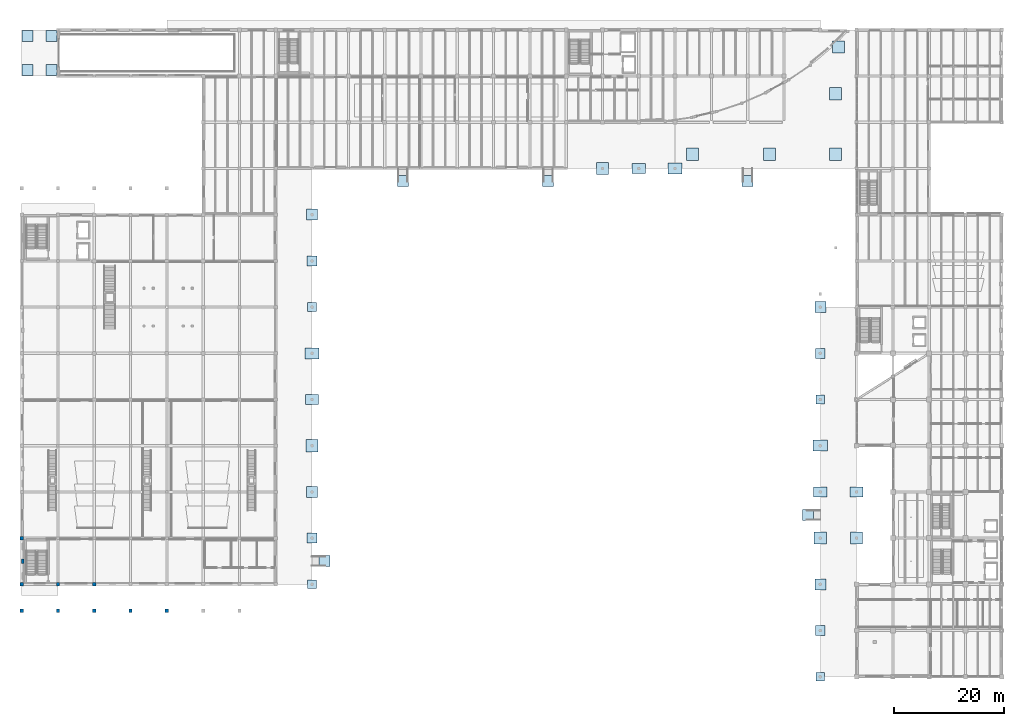
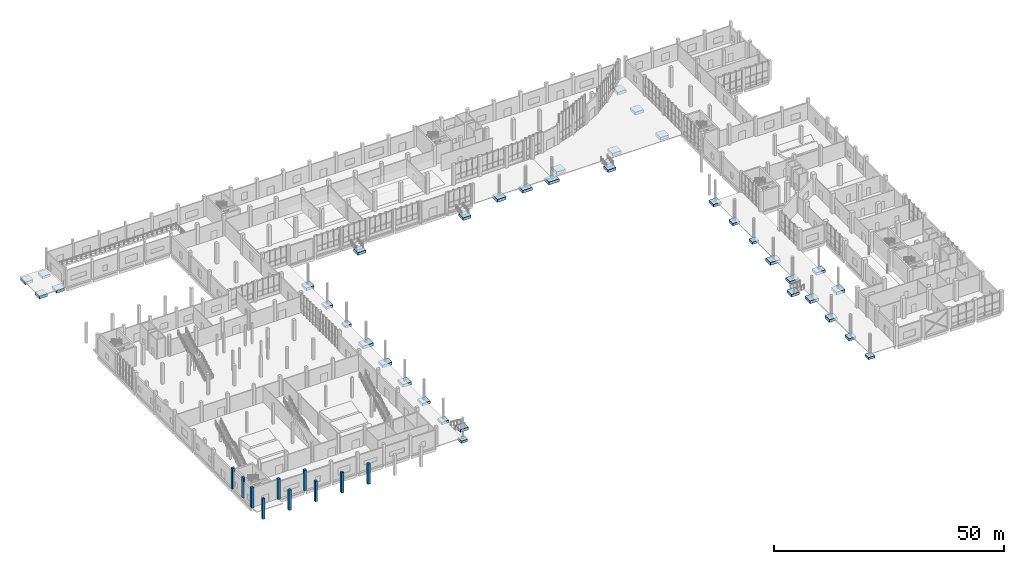
# One storey, part 1 of 64: 37 footings, 10 columns.
"""IFC4 building model written with IfcOpenShell, lengths in metres."""

import ifcopenshell
import ifcopenshell.guid

model = None  # the IFC model being written
_history = None  # IfcOwnerHistory: only IFC2X3 demands one
_inside = {}  # id of a spatial element -> (the spatial element, [elements in it])
_under = {}  # id of a project, library or spatial element -> (it, [spatial elements below it])
_declared = {}  # id of a project -> (the project, [libraries it declares])
_typed = {}  # id of a type object -> (the type object, [elements of that type])
_made_of = {}  # id of a material, layer set ... -> (it, [elements and type objects made of it])


def new_model(schema):
    """Start an empty IFC model of exactly this schema.

    Asked for "IFC4X3", IfcOpenShell would pick the latest addendum, in which some entities
    have other attributes; the version numbers below select the first issue.
    IFC2X3 requires an IfcOwnerHistory on every rooted entity: one is made here for all.
    """
    global model, _history
    if schema == "IFC4X3":
        model = ifcopenshell.file(schema_version=(4, 3, 0, 0))
    else:
        model = ifcopenshell.file(schema=schema)
    _inside.clear()
    _under.clear()
    _declared.clear()
    _typed.clear()
    _made_of.clear()
    _history = None
    if model.schema == "IFC2X3":
        org = make("IfcOrganization", Name="unknown")
        user = make(
            "IfcPersonAndOrganization",
            ThePerson=make("IfcPerson", FamilyName="unknown"),
            TheOrganization=org,
        )
        app = make(
            "IfcApplication",
            ApplicationDeveloper=org,
            Version="unknown",
            ApplicationFullName="unknown",
            ApplicationIdentifier="unknown",
        )
        _history = make(
            "IfcOwnerHistory",
            OwningUser=user,
            OwningApplication=app,
            ChangeAction="ADDED",
            CreationDate=0,
        )
    return model


def make(cls, **values):
    """One entity of the class cls with the attributes given. An attribute that is None is left unset."""
    return model.create_entity(
        cls, **{name: value for name, value in values.items() if value is not None}
    )


def rooted(cls, **values):
    """An entity with a GlobalId (a new one), such as an element, a storey or a relation."""
    return make(cls, GlobalId=ifcopenshell.guid.new(), OwnerHistory=_history, **values)


def si_unit(unit_type, name, prefix=None):
    """IfcSIUnit, for example si_unit("LENGTHUNIT", "METRE", prefix="MILLI")."""
    return make("IfcSIUnit", UnitType=unit_type, Prefix=prefix, Name=name)


def assignment(units):
    """IfcUnitAssignment: the units of a project."""
    return None if units is None else make("IfcUnitAssignment", Units=units)


def point(xyz):
    """IfcCartesianPoint."""
    return None if xyz is None else make("IfcCartesianPoint", Coordinates=xyz)


def direction(xyz):
    """IfcDirection."""
    return None if xyz is None else make("IfcDirection", DirectionRatios=xyz)


def frame(location, z_axis=None, x_axis=None):
    """IfcAxis2Placement3D, a coordinate frame: its origin and axes. An axis left out is left unset."""
    return make(
        "IfcAxis2Placement3D",
        Location=point(location),
        Axis=direction(z_axis),
        RefDirection=direction(x_axis),
    )


def frame_2d(location, x_axis=None):
    """IfcAxis2Placement2D, a coordinate frame in the plane: its origin and x axis."""
    return make(
        "IfcAxis2Placement2D", Location=point(location), RefDirection=direction(x_axis)
    )


def origin():
    """The frame at (0, 0, 0) with its axes left unset."""
    return frame((0.0, 0.0, 0.0))


def origin_2d():
    """The frame at (0, 0) in the plane with its x axis left unset."""
    return frame_2d((0.0, 0.0))


def place(relative_to, where):
    """IfcLocalPlacement: puts the frame where relative to a parent placement (None: the world)."""
    return make(
        "IfcLocalPlacement", PlacementRelTo=relative_to, RelativePlacement=where
    )


def context(
    kind, dimensions, precision=None, world=None, true_north=None, identifier=None
):
    """IfcGeometricRepresentationContext, for example the 3D "Model" context."""
    return make(
        "IfcGeometricRepresentationContext",
        ContextIdentifier=identifier,
        ContextType=kind,
        CoordinateSpaceDimension=dimensions,
        Precision=precision,
        WorldCoordinateSystem=world,
        TrueNorth=true_north,
    )


def subcontext(parent, identifier, kind, view, scale=None):
    """IfcGeometricRepresentationSubContext, for example "Body" below "Model"."""
    return make(
        "IfcGeometricRepresentationSubContext",
        ContextIdentifier=identifier,
        ContextType=kind,
        ParentContext=parent,
        TargetScale=scale,
        TargetView=view,
    )


def project(units=None, contexts=None):
    """IfcProject with its units and contexts."""
    return rooted(
        "IfcProject",
        Name="project",
        RepresentationContexts=contexts,
        UnitsInContext=assignment(units),
    )


def spatial(cls, under=None, at=None, **own):
    """A site, building, storey or space (cls), placed at a placement, below another one or the project."""
    s = rooted(cls, ObjectPlacement=at, **own)
    if under is not None:
        _under.setdefault(under.id(), (under, []))[1].append(s)
    return s


def profile(cls, at=None, kind="AREA", **sizes):
    """A parametric profile (cls). Its sizes go by their IFC names, for example OverallWidth=200.0."""
    return make(cls, ProfileType=kind, Position=at, **sizes)


def rectangle(**sizes):
    """IfcRectangleProfileDef."""
    return profile("IfcRectangleProfileDef", **sizes)


def extrude(swept, where, along, depth):
    """IfcExtrudedAreaSolid: the profile swept, set in the frame where, extruded along a direction by depth."""
    return make(
        "IfcExtrudedAreaSolid",
        SweptArea=swept,
        Position=where,
        ExtrudedDirection=direction(along),
        Depth=depth,
    )


def shape(context_of_items, identifier, shape_type, items):
    """IfcShapeRepresentation: the items that make up one representation, for example the "Body"."""
    return make(
        "IfcShapeRepresentation",
        ContextOfItems=context_of_items,
        RepresentationIdentifier=identifier,
        RepresentationType=shape_type,
        Items=items,
    )


def material(Name=None, Category=None):
    """IfcMaterial."""
    return make("IfcMaterial", Name=Name, Category=Category)


def layer(
    of_material, thickness, ventilated=None, Name=None, Category=None, Priority=None
):
    """IfcMaterialLayer: one layer of a wall or slab, of a material (None: an air gap)."""
    return make(
        "IfcMaterialLayer",
        Material=of_material,
        LayerThickness=thickness,
        IsVentilated=ventilated,
        Name=Name,
        Category=Category,
        Priority=Priority,
    )


def layer_set(layers, Name=None):
    """IfcMaterialLayerSet."""
    return make("IfcMaterialLayerSet", MaterialLayers=layers, LayerSetName=Name)


def material_profile(
    of_material, cross_section, Name=None, Category=None, Priority=None
):
    """IfcMaterialProfile: a cross section and its material."""
    return make(
        "IfcMaterialProfile",
        Name=Name,
        Material=of_material,
        Profile=cross_section,
        Priority=Priority,
        Category=Category,
    )


def profile_set(profiles, Name=None, composite=None):
    """IfcMaterialProfileSet."""
    return make(
        "IfcMaterialProfileSet",
        Name=Name,
        MaterialProfiles=profiles,
        CompositeProfile=composite,
    )


def made_of(thing, what):
    """Note that an element or type object is made of a material, layer set ...; save() writes the relation."""
    if what is not None:
        _made_of.setdefault(what.id(), (what, []))[1].append(thing)
    return thing


def type_object(cls, material=None, **own):
    """A type object (cls), such as IfcWallType, which elements share."""
    return made_of(rooted(cls, **own), material)


def element(
    cls,
    number,
    at=None,
    inside=None,
    cuts=None,
    type_object=None,
    material=None,
    context=None,
    identifier="Body",
    shape_type=None,
    held_by="IfcProductDefinitionShape",
    body=None,
    shapes=None,
    **own,
):
    """One element of the class cls, such as IfcWall. Its Tag is "e" and its number.

    at: its placement. inside: the storey or other place that contains it. cuts: it is an
    opening in that element (IfcRelVoidsElement). A single representation is given by context,
    identifier, shape_type and body (its items); several are given by shapes. held_by: the class
    of the entity that holds the representations. save() writes the other relations.
    """
    e = rooted(cls, Tag="e%d" % number, ObjectPlacement=at, **own)
    if body is not None:
        shapes = [shape(context, identifier, shape_type, body)]
    if shapes is not None:
        e.Representation = make(held_by, Representations=shapes)
    if inside is not None:
        _inside.setdefault(inside.id(), (inside, []))[1].append(e)
    if cuts is not None:
        rooted(
            "IfcRelVoidsElement", RelatingBuildingElement=cuts, RelatedOpeningElement=e
        )
    if type_object is not None:
        _typed.setdefault(type_object.id(), (type_object, []))[1].append(e)
    return made_of(e, material)


def aggregate(whole, parts):
    """IfcRelAggregates: a whole, such as a stair, and the parts it consists of."""
    return rooted("IfcRelAggregates", RelatingObject=whole, RelatedObjects=parts)


def save(model, path):
    """Write the relations noted so far, then the file.

    IfcRelAggregates (storeys below a building ...), IfcRelContainedInSpatialStructure (elements
    in a storey), IfcRelDefinesByType, IfcRelAssociatesMaterial and IfcRelDeclares: one each for
    every whole, place, type object, material and project.
    """
    for whole, parts in _under.values():
        aggregate(whole, parts)
    for where, things in _inside.values():
        rooted(
            "IfcRelContainedInSpatialStructure",
            RelatedElements=things,
            RelatingStructure=where,
        )
    for kind, things in _typed.values():
        rooted("IfcRelDefinesByType", RelatedObjects=things, RelatingType=kind)
    for what, things in _made_of.values():
        rooted("IfcRelAssociatesMaterial", RelatedObjects=things, RelatingMaterial=what)
    for by, libraries in _declared.values():
        rooted("IfcRelDeclares", RelatingContext=by, RelatedDefinitions=libraries)
    model.write(path)


model = new_model("IFC4")

# Units and contexts
model_context = context("Model", 3, precision=1e-05, world=origin(), true_north=direction((0.0, 1.0)))
body_context = subcontext(model_context, "Body", "Model", "MODEL_VIEW")
ifc_project = project(units=[si_unit("LENGTHUNIT", "METRE"), si_unit("AREAUNIT", "SQUARE_METRE"), si_unit("VOLUMEUNIT", "CUBIC_METRE"), si_unit("PLANEANGLEUNIT", "RADIAN"), si_unit("MASSUNIT", "GRAM", prefix="KILO")], contexts=[model_context])

# Site, building, storey
site_placement = place(None, origin())
site = spatial("IfcSite", under=ifc_project, at=site_placement, CompositionType="ELEMENT")
building_placement = place(site_placement, origin())
building = spatial("IfcBuilding", under=site, at=building_placement, Name="Qaldarim Faculty of Natural and Applied Sciences", CompositionType="ELEMENT")
storey_placement = place(building_placement, origin())
storey = spatial("IfcBuildingStorey", under=building, at=storey_placement, Name="L00", CompositionType="ELEMENT", Elevation=0.0)

# Footings
ifc_material_1 = material(Name="Concrete C40/50", Category="concrete")
ifc_layer_1 = layer(ifc_material_1, 0.60009765625)
ifc_layer_set_1 = layer_set([ifc_layer_1], Name="Concrete C40/50")
footing_type_1 = type_object("IfcFootingType", Name="FoundationPad-1600x1600x600", PredefinedType="PAD_FOOTING", material=ifc_layer_set_1)
for number, where, z_axis, x_axis, name in (
    (1, (52.800048828125, 16.800048828125, -0.800048828125), (0.0, 0.0, 1.0), (1.0, 0.0, 0.0), "Spread pad footing PF01 at X09/Y03"),
    (2, (52.800048828125, 67.199951171875, -0.800048828125), (0.0, 0.0, 1.0), (1.0, 0.0, 0.0), "Spread pad footing PF01 at X09/Y09"),
    (3, (145.199951171875, 0.0, -0.800048828125), (0.0, 0.0, 1.0), (1.0, 0.0, 0.0), "Spread pad footing PF01 at X23/Y01"),
    (4, (145.199951171875, 50.39990234375, -0.800048828125), (0.0, 0.0, 1.0), (1.0, 0.0, 0.0), "Spread pad footing PF01 at X23/Y07"),
):
    element("IfcFooting", number, at=place(storey_placement, frame(where, z_axis=z_axis, x_axis=x_axis)), inside=storey, type_object=footing_type_1, Name=name, PredefinedType="PAD_FOOTING", context=body_context, shape_type="SweptSolid", body=[
        extrude(rectangle(XDim=1.60009765625, YDim=1.60009765625, at=origin_2d()), origin(), (0.0, 0.0, 1.0), 0.60009765625),
    ])
ifc_layer_2 = layer(ifc_material_1, 0.64990234375)
ifc_layer_set_2 = layer_set([ifc_layer_2], Name="Concrete C40/50")
footing_type_2 = type_object("IfcFootingType", Name="FoundationPad-1800x1800x650", PredefinedType="PAD_FOOTING", material=ifc_layer_set_2)
for number, where, z_axis, x_axis, name in (
    (5, (52.800048828125, 25.199951171875, -0.849853515625), (0.0, 0.0, 1.0), (1.0, 0.0, 0.0), "Spread pad footing PF02 at X09/Y04"),
    (6, (52.800048828125, 75.60009765625, -0.849853515625), (0.0, 0.0, 1.0), (1.0, 0.0, 0.0), "Spread pad footing PF02 at X09/Y10"),
    (7, (145.199951171875, 8.39990234375, -0.849853515625), (0.0, 0.0, 1.0), (1.0, 0.0, 0.0), "Spread pad footing PF02 at X23/Y02"),
    (8, (145.199951171875, 58.800048828125, -0.849853515625), (0.0, 0.0, 1.0), (1.0, 0.0, 0.0), "Spread pad footing PF02 at X23/Y08"),
):
    element("IfcFooting", number, at=place(storey_placement, frame(where, z_axis=z_axis, x_axis=x_axis)), inside=storey, type_object=footing_type_2, Name=name, PredefinedType="PAD_FOOTING", context=body_context, shape_type="SweptSolid", body=[
        extrude(rectangle(XDim=1.800048828125, YDim=1.800048828125, at=origin_2d()), origin(), (0.0, 0.0, 1.0), 0.64990234375),
    ])
ifc_layer_3 = layer(ifc_material_1, 0.699951171875)
ifc_layer_set_3 = layer_set([ifc_layer_3], Name="Concrete C40/50")
footing_type_3 = type_object("IfcFootingType", Name="FoundationPad-2000x2000x700", PredefinedType="PAD_FOOTING", material=ifc_layer_set_3)
for number, where, z_axis, x_axis, name in (
    (9, (52.800048828125, 33.60009765625, -0.89990234375), (0.0, 0.0, 1.0), (1.0, 0.0, 0.0), "Spread pad footing PF03 at X09/Y05"),
    (10, (52.800048828125, 84.0, -0.89990234375), (0.0, 0.0, 1.0), (1.0, 0.0, 0.0), "Spread pad footing PF03 at X09/Y11"),
    (11, (145.199951171875, 16.800048828125, -0.89990234375), (0.0, 0.0, 1.0), (1.0, 0.0, 0.0), "Spread pad footing PF03 at X23/Y03"),
    (12, (145.199951171875, 67.199951171875, -0.89990234375), (0.0, 0.0, 1.0), (1.0, 0.0, 0.0), "Spread pad footing PF03 at X23/Y09"),
    (13, (1.10009765625, 110.300048828125, -0.89990234375), (0.0, 0.0, 1.0), (1.0, 0.0, 0.0), "Apron foundation pad PAD-APR-W1"),
    (14, (1.10009765625, 116.5, -0.89990234375), (0.0, 0.0, 1.0), (1.0, 0.0, 0.0), "Apron foundation pad PAD-APR-W2"),
    (15, (5.39990234375, 110.300048828125, -0.89990234375), (0.0, 0.0, 1.0), (1.0, 0.0, 0.0), "Apron foundation pad PAD-APR-E1"),
    (16, (5.39990234375, 116.5, -0.89990234375), (0.0, 0.0, 1.0), (1.0, 0.0, 0.0), "Apron foundation pad PAD-APR-E2"),
    (17, (55.050048828125, 21.0, -1.009765625), (0.0, 0.0, 1.0), (-1.0, 0.0, 0.0), "Pedestrian ramp bottom foundation pad RMP02"),
    (18, (69.300048828125, 90.14990234375, -1.009765625), (0.0, 0.0, 1.0), (0.0, 1.0, 0.0), "Pedestrian ramp bottom foundation pad RMP03"),
    (19, (95.699951171875, 90.14990234375, -1.009765625), (0.0, 0.0, 1.0), (0.0, 1.0, 0.0), "Pedestrian ramp bottom foundation pad RMP04"),
    (20, (132.0, 90.14990234375, -1.009765625), (0.0, 0.0, 1.0), (0.0, 1.0, 0.0), "Pedestrian ramp bottom foundation pad RMP05"),
    (21, (142.949951171875, 29.39990234375, -1.009765625), (0.0, 0.0, 1.0), (1.0, 0.0, 0.0), "Pedestrian ramp bottom foundation pad RMP06"),
):
    element("IfcFooting", number, at=place(storey_placement, frame(where, z_axis=z_axis, x_axis=x_axis)), inside=storey, type_object=footing_type_3, Name=name, PredefinedType="PAD_FOOTING", context=body_context, shape_type="SweptSolid", body=[
        extrude(rectangle(XDim=2.0, YDim=2.0, at=origin_2d()), origin(), (0.0, 0.0, 1.0), 0.699951171875),
    ])
ifc_layer_4 = layer(ifc_material_1, 0.75)
ifc_layer_set_4 = layer_set([ifc_layer_4], Name="Concrete C40/50")
footing_type_4 = type_object("IfcFootingType", Name="FoundationPad-2200x2200x750", PredefinedType="PAD_FOOTING", material=ifc_layer_set_4)
for number, where, z_axis, x_axis, name in (
    (22, (52.800048828125, 42.0, -0.949951171875), (0.0, 0.0, 1.0), (1.0, 0.0, 0.0), "Spread pad footing PF04 at X09/Y06"),
    (23, (105.60009765625, 92.39990234375, -0.949951171875), (0.0, 0.0, 1.0), (1.0, 0.0, 0.0), "Spread pad footing PF04 at X17/Y12"),
    (24, (145.199951171875, 25.199951171875, -0.949951171875), (0.0, 0.0, 1.0), (1.0, 0.0, 0.0), "Spread pad footing PF04 at X23/Y04"),
    (25, (151.800048828125, 25.199951171875, -0.949951171875), (0.0, 0.0, 1.0), (1.0, 0.0, 0.0), "Spread pad footing PF04 at X24/Y04"),
    (26, (122.0, 95.0, -0.949951171875), (0.0, 0.0, 1.0), (1.0, 0.0, 0.0), "Apron foundation pad PAD-PLZ-1"),
    (27, (136.0, 95.0, -0.949951171875), (0.0, 0.0, 1.0), (1.0, 0.0, 0.0), "Apron foundation pad PAD-PLZ-2"),
    (28, (148.0, 95.0, -0.949951171875), (0.0, 0.0, 1.0), (1.0, 0.0, 0.0), "Apron foundation pad PAD-PLZ-3"),
    (29, (148.0, 106.0, -0.949951171875), (0.0, 0.0, 1.0), (1.0, 0.0, 0.0), "Apron foundation pad PAD-PLZ-4"),
    (30, (148.5, 114.5, -0.949951171875), (0.0, 0.0, 1.0), (1.0, 0.0, 0.0), "Apron foundation pad PAD-PLZ-5"),
):
    element("IfcFooting", number, at=place(storey_placement, frame(where, z_axis=z_axis, x_axis=x_axis)), inside=storey, type_object=footing_type_4, Name=name, PredefinedType="PAD_FOOTING", context=body_context, shape_type="SweptSolid", body=[
        extrude(rectangle(XDim=2.199951171875, YDim=2.199951171875, at=origin_2d()), origin(), (0.0, 0.0, 1.0), 0.75),
    ])
ifc_layer_5 = layer(ifc_material_1, 0.699951171875)
ifc_layer_set_5 = layer_set([ifc_layer_5], Name="Concrete C40/50")
footing_type_5 = type_object("IfcFootingType", Name="FoundationPad-2400x1800x700", PredefinedType="PAD_FOOTING", material=ifc_layer_set_5)
for number, where, z_axis, x_axis, name in (
    (31, (52.800048828125, 50.39990234375, -0.89990234375), (0.0, 0.0, 1.0), (1.0, 0.0, 0.0), "Spread pad footing PF05 at X09/Y07"),
    (32, (112.199951171875, 92.39990234375, -0.89990234375), (0.0, 0.0, 1.0), (1.0, 0.0, 0.0), "Spread pad footing PF05 at X18/Y12"),
    (33, (145.199951171875, 33.60009765625, -0.89990234375), (0.0, 0.0, 1.0), (1.0, 0.0, 0.0), "Spread pad footing PF05 at X23/Y05"),
    (34, (151.800048828125, 33.60009765625, -0.89990234375), (0.0, 0.0, 1.0), (1.0, 0.0, 0.0), "Spread pad footing PF05 at X24/Y05"),
):
    element("IfcFooting", number, at=place(storey_placement, frame(where, z_axis=z_axis, x_axis=x_axis)), inside=storey, type_object=footing_type_5, Name=name, PredefinedType="PAD_FOOTING", context=body_context, shape_type="SweptSolid", body=[
        extrude(rectangle(XDim=2.39990234375, YDim=1.800048828125, at=origin_2d()), origin(), (0.0, 0.0, 1.0), 0.699951171875),
    ])
ifc_layer_6 = layer(ifc_material_1, 0.75)
ifc_layer_set_6 = layer_set([ifc_layer_6], Name="Concrete C40/50")
footing_type_6 = type_object("IfcFootingType", Name="FoundationPad-2600x2000x750", PredefinedType="PAD_FOOTING", material=ifc_layer_set_6)
for number, where, z_axis, x_axis, name in (
    (35, (52.800048828125, 58.800048828125, -0.949951171875), (0.0, 0.0, 1.0), (1.0, 0.0, 0.0), "Spread pad footing PF06 at X09/Y08"),
    (36, (118.800048828125, 92.39990234375, -0.949951171875), (0.0, 0.0, 1.0), (1.0, 0.0, 0.0), "Spread pad footing PF06 at X19/Y12"),
    (37, (145.199951171875, 42.0, -0.949951171875), (0.0, 0.0, 1.0), (1.0, 0.0, 0.0), "Spread pad footing PF06 at X23/Y06"),
):
    element("IfcFooting", number, at=place(storey_placement, frame(where, z_axis=z_axis, x_axis=x_axis)), inside=storey, type_object=footing_type_6, Name=name, PredefinedType="PAD_FOOTING", context=body_context, shape_type="SweptSolid", body=[
        extrude(rectangle(XDim=2.60009765625, YDim=2.0, at=origin_2d()), origin(), (0.0, 0.0, 1.0), 0.75),
    ])

# Columns
ifc_material_2 = material(Name="Concrete C50/60", Category="concrete")
ifc_material_profile_1 = material_profile(ifc_material_2, rectangle(XDim=0.60009765625, YDim=0.60009765625, at=origin_2d()), Name="RC-C600x600")
ifc_profile_set_1 = profile_set([ifc_material_profile_1], Name="Concrete C50/60")
column_type_1 = type_object("IfcColumnType", Name="Column-RC600x600", PredefinedType="COLUMN", material=ifc_profile_set_1)
for number, where, z_axis, x_axis, name in (
    (38, (0.0, 16.800048828125, 0.0), (0.0, 0.0, 1.0), (1.0, 0.0, 0.0), "Column X01/Y03 L00"),
    (39, (0.0, 25.199951171875, 0.0), (0.0, 0.0, 1.0), (1.0, 0.0, 0.0), "Column X01/Y04 L00"),
    (40, (6.60009765625, 16.800048828125, 0.0), (0.0, 0.0, 1.0), (1.0, 0.0, 0.0), "Column X02/Y03 L00"),
    (41, (13.199951171875, 16.800048828125, 0.0), (0.0, 0.0, 1.0), (1.0, 0.0, 0.0), "Column X03/Y03 L00"),
    (42, (0.0, 12.0, 0.0), (0.0, 0.0, 1.0), (1.0, 0.0, 0.0), "Shell south buttress pier 1 L00"),
    (43, (6.60009765625, 12.0, 0.0), (0.0, 0.0, 1.0), (1.0, 0.0, 0.0), "Shell south buttress pier 2 L00"),
    (44, (13.199951171875, 12.0, 0.0), (0.0, 0.0, 1.0), (1.0, 0.0, 0.0), "Shell south buttress pier 3 L00"),
    (45, (19.800048828125, 12.0, 0.0), (0.0, 0.0, 1.0), (1.0, 0.0, 0.0), "Shell south buttress pier 4 L00"),
    (46, (26.39990234375, 12.0, 0.0), (0.0, 0.0, 1.0), (1.0, 0.0, 0.0), "Shell south buttress pier 5 L00"),
):
    element("IfcColumn", number, at=place(storey_placement, frame(where, z_axis=z_axis, x_axis=x_axis)), inside=storey, type_object=column_type_1, Name=name, PredefinedType="COLUMN", context=body_context, shape_type="SweptSolid", body=[
        extrude(rectangle(XDim=0.60009765625, YDim=0.60009765625, at=origin_2d()), origin(), (0.0, 0.0, 1.0), 5.39990234375),
    ])
ifc_material_profile_2 = material_profile(ifc_material_2, rectangle(XDim=0.449951171875, YDim=0.800048828125, at=origin_2d()), Name="RC-C450x800")
ifc_profile_set_2 = profile_set([ifc_material_profile_2], Name="Concrete C50/60")
column_type_2 = type_object("IfcColumnType", Name="Pilaster-RC450x800", PredefinedType="PILASTER", material=ifc_profile_set_2)
column_placement = place(storey_placement, frame((0.22509765625, 21.0, 0.0), z_axis=(0.0, 0.0, 1.0), x_axis=(1.0, 0.0, 0.0)))
element("IfcColumn", 47, at=column_placement, inside=storey, type_object=column_type_2, Name="West facade pilaster L00 bay Y03", PredefinedType="PILASTER", context=body_context, shape_type="SweptSolid", body=[
    extrude(rectangle(XDim=0.449951171875, YDim=0.800048828125, at=origin_2d()), origin(), (0.0, 0.0, 1.0), 5.39990234375),
])

save(model, "model.ifc")
